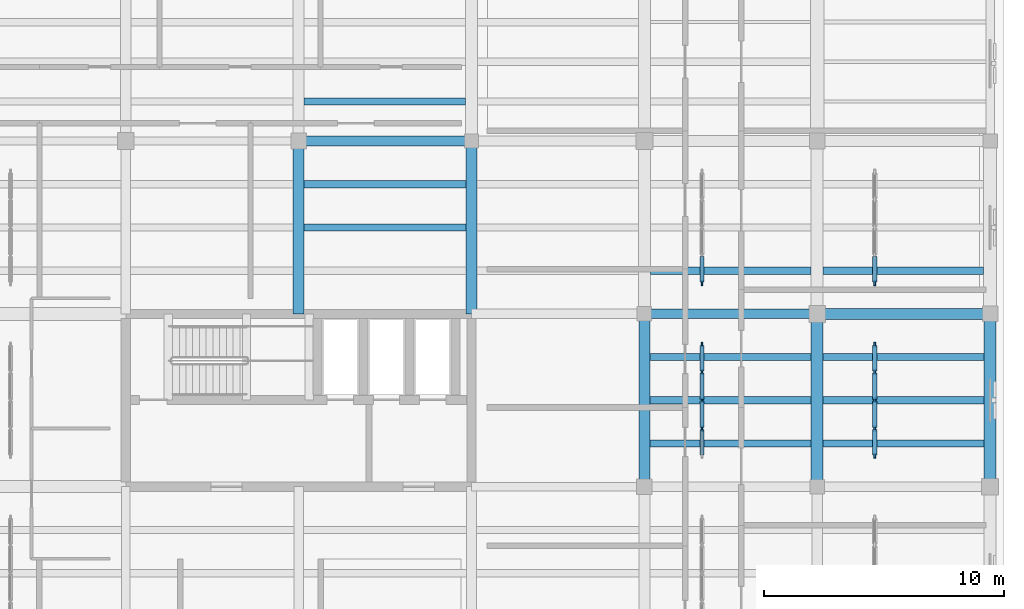
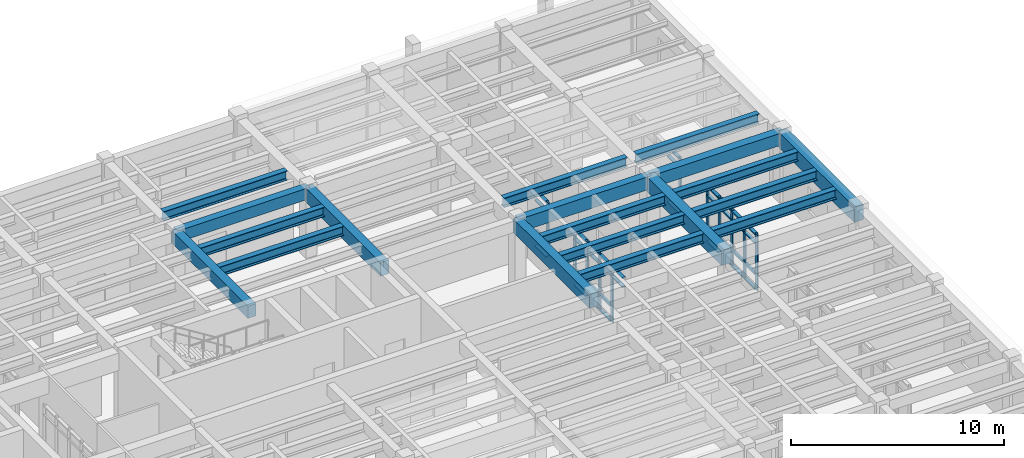
# One storey, part 21 of 66: 49 members, 19 beams, 4 elements without a shape of their own.
"""IFC4 building model written with IfcOpenShell, lengths in metres."""

from ifc_helpers import new_model, si_unit, direction, frame, origin, origin_2d, place, context, subcontext, project, spatial, rectangle, i_section, extrude, material, material_profile, profile_set, type_object, element, aggregate, save


model = new_model("IFC4")

# Units and contexts
model_context = context("Model", 3, precision=1e-05, world=origin(), true_north=direction((0.0, 1.0)))
body_context = subcontext(model_context, "Body", "Model", "MODEL_VIEW")
ifc_project = project(units=[si_unit("LENGTHUNIT", "METRE"), si_unit("AREAUNIT", "SQUARE_METRE"), si_unit("VOLUMEUNIT", "CUBIC_METRE"), si_unit("PLANEANGLEUNIT", "RADIAN"), si_unit("MASSUNIT", "GRAM", prefix="KILO")], contexts=[model_context])

# Site, building, storey
site_placement = place(None, origin())
site = spatial("IfcSite", under=ifc_project, at=site_placement, CompositionType="ELEMENT")
building_placement = place(site_placement, origin())
building = spatial("IfcBuilding", under=site, at=building_placement, Name="Mithqara Police Headquarters", CompositionType="ELEMENT")
storey_placement = place(building_placement, frame((0.0, 0.0, 9.60009765625)))
storey = spatial("IfcBuildingStorey", under=building, at=storey_placement, Name="L02", CompositionType="ELEMENT", Elevation=9.60009765625)

# Beams
ifc_material_1 = material(Name="Steel S355JR", Category="steel")
ifc_material_profile_1 = material_profile(ifc_material_1, i_section(OverallWidth=0.300048828125, OverallDepth=0.550048828125, WebThickness=0.014892578125, FlangeThickness=0.029052734375, FilletRadius=0.027099609375, at=origin_2d()), Name="HEB 550")
ifc_profile_set_1 = profile_set([ifc_material_profile_1], Name="Steel S355JR")
beam_type_1 = type_object("IfcBeamType", Name="BEAM HEB550", PredefinedType="BEAM", material=ifc_profile_set_1)
for number, where, z_axis, x_axis, name in (
    (1, (137.625, 103.800048828125, 3.664794921875), (1.0, 0.0, 0.0), (0.0, 1.0, 0.0), "L02 Composite Steel Joist 20-21/Q.2"),
    (2, (137.625, 105.60009765625, 3.664794921875), (1.0, 0.0, 0.0), (0.0, 1.0, 0.0), "L02 Composite Steel Joist 20-21/Q.3"),
):
    element("IfcBeam", number, at=place(storey_placement, frame(where, z_axis=z_axis, x_axis=x_axis)), inside=storey, type_object=beam_type_1, Name=name, PredefinedType="BEAM", context=body_context, shape_type="SweptSolid", body=[
        extrude(i_section(OverallWidth=0.300048828125, OverallDepth=0.550048828125, WebThickness=0.014892578125, FlangeThickness=0.029052734375, FilletRadius=0.027099609375, at=origin_2d()), origin(), (0.0, 0.0, 1.0), 6.75),
    ])
for number, where, z_axis, x_axis, name in (
    (3, (137.625, 109.050048828125, 3.664794921875), (1.0, 0.0, 0.0), (0.0, 1.0, 0.0), "L02 Composite Steel Joist 20-21/R.1"),
    (4, (152.02490234375, 94.800048828125, 3.664794921875), (1.0, 0.0, 0.0), (0.0, 1.0, 0.0), "L02 Composite Steel Joist 22-23/P.1"),
    (5, (152.02490234375, 96.60009765625, 3.664794921875), (1.0, 0.0, 0.0), (0.0, 1.0, 0.0), "L02 Composite Steel Joist 22-23/P.2"),
    (6, (152.02490234375, 98.39990234375, 3.664794921875), (1.0, 0.0, 0.0), (0.0, 1.0, 0.0), "L02 Composite Steel Joist 22-23/P.3"),
):
    element("IfcBeam", number, at=place(storey_placement, frame(where, z_axis=z_axis, x_axis=x_axis)), inside=storey, type_object=beam_type_1, Name=name, PredefinedType="BEAM", context=body_context, shape_type="SweptSolid", body=[
        extrude(i_section(OverallWidth=0.300048828125, OverallDepth=0.550048828125, WebThickness=0.014892578125, FlangeThickness=0.029052734375, FilletRadius=0.027099609375, at=origin_2d()), origin(), (0.0, 0.0, 1.0), 6.72509765625),
    ])
for number, where, z_axis, x_axis, name in (
    (7, (152.050048828125, 102.0, 3.664794921875), (1.0, 0.0, 0.0), (0.0, 1.0, 0.0), "L02 Composite Steel Joist 22-23/Q.1"),
    (8, (159.25, 94.800048828125, 3.664794921875), (1.0, 0.0, 0.0), (0.0, 1.0, 0.0), "L02 Composite Steel Joist 23-24/P.1"),
    (9, (159.25, 96.60009765625, 3.664794921875), (1.0, 0.0, 0.0), (0.0, 1.0, 0.0), "L02 Composite Steel Joist 23-24/P.2"),
    (10, (159.25, 98.39990234375, 3.664794921875), (1.0, 0.0, 0.0), (0.0, 1.0, 0.0), "L02 Composite Steel Joist 23-24/P.3"),
):
    element("IfcBeam", number, at=place(storey_placement, frame(where, z_axis=z_axis, x_axis=x_axis)), inside=storey, type_object=beam_type_1, Name=name, PredefinedType="BEAM", context=body_context, shape_type="SweptSolid", body=[
        extrude(i_section(OverallWidth=0.300048828125, OverallDepth=0.550048828125, WebThickness=0.014892578125, FlangeThickness=0.029052734375, FilletRadius=0.027099609375, at=origin_2d()), origin(), (0.0, 0.0, 1.0), 6.699951171875),
    ])
beam_1_placement = place(storey_placement, frame((159.25, 102.0, 3.664794921875), z_axis=(1.0, 0.0, 0.0), x_axis=(0.0, 1.0, 0.0)))
element("IfcBeam", 11, at=beam_1_placement, inside=storey, type_object=beam_type_1, Name="L02 Composite Steel Joist 23-24/Q.1", PredefinedType="BEAM", context=body_context, shape_type="SweptSolid", body=[
    extrude(i_section(OverallWidth=0.300048828125, OverallDepth=0.550048828125, WebThickness=0.014892578125, FlangeThickness=0.029052734375, FilletRadius=0.027099609375, at=origin_2d()), origin(), (0.0, 0.0, 1.0), 6.675048828125),
])
ifc_material_2 = material(Name="Concrete C40/50", Category="concrete")
ifc_material_profile_2 = material_profile(ifc_material_2, rectangle(XDim=0.39990234375, YDim=0.64990234375, at=origin_2d()), Name="RC 400x650")
ifc_profile_set_2 = profile_set([ifc_material_profile_2], Name="Concrete C40/50")
beam_type_2 = type_object("IfcBeamType", Name="BEAM RC400X650", PredefinedType="BEAM", material=ifc_profile_set_2)
beam_2_placement = place(storey_placement, frame((137.39990234375, 107.39990234375, 3.614990234375), z_axis=(1.0, 0.0, 0.0), x_axis=(0.0, 1.0, 0.0)))
element("IfcBeam", 12, at=beam_2_placement, inside=storey, type_object=beam_type_2, Name="L02 Girder 20-21/R", PredefinedType="BEAM", context=body_context, shape_type="SweptSolid", body=[
    extrude(rectangle(XDim=0.39990234375, YDim=0.64990234375, at=origin_2d()), origin(), (0.0, 0.0, 1.0), 7.2001953125),
])
ifc_material_profile_3 = material_profile(ifc_material_2, rectangle(XDim=0.39990234375, YDim=0.75, at=origin_2d()), Name="RC 400x750")
ifc_profile_set_3 = profile_set([ifc_material_profile_3], Name="Concrete C40/50")
beam_type_3 = type_object("IfcBeamType", Name="BEAM RC400X750", PredefinedType="BEAM", material=ifc_profile_set_3)
beam_3_placement = place(storey_placement, frame((151.800048828125, 100.199951171875, 3.56494140625), z_axis=(1.0, 0.0, 0.0), x_axis=(0.0, 1.0, 0.0)))
element("IfcBeam", 13, at=beam_3_placement, inside=storey, type_object=beam_type_3, Name="L02 Girder 22-23/Q", PredefinedType="BEAM", context=body_context, shape_type="SweptSolid", body=[
    extrude(rectangle(XDim=0.39990234375, YDim=0.75, at=origin_2d()), origin(), (0.0, 0.0, 1.0), 7.199951171875),
])
ifc_material_profile_4 = material_profile(ifc_material_2, rectangle(XDim=0.449951171875, YDim=0.699951171875, at=origin_2d()), Name="RC 450x700")
ifc_profile_set_4 = profile_set([ifc_material_profile_4], Name="Concrete C40/50")
beam_type_4 = type_object("IfcBeamType", Name="BEAM RC450X700", PredefinedType="BEAM", material=ifc_profile_set_4)
for number, where, z_axis, x_axis, name in (
    (14, (137.39990234375, 100.199951171875, 3.58984375), (0.0, 1.0, 0.0), (-1.0, 0.0, 0.0), "L02 Girder 20/Q-R"),
    (15, (159.0, 100.199951171875, 3.58984375), (1.0, 0.0, 0.0), (0.0, 1.0, 0.0), "L02 Girder 23-24/Q"),
):
    element("IfcBeam", number, at=place(storey_placement, frame(where, z_axis=z_axis, x_axis=x_axis)), inside=storey, type_object=beam_type_4, Name=name, PredefinedType="BEAM", context=body_context, shape_type="SweptSolid", body=[
        extrude(rectangle(XDim=0.449951171875, YDim=0.699951171875, at=origin_2d()), origin(), (0.0, 0.0, 1.0), 7.199951171875),
    ])
ifc_material_profile_5 = material_profile(ifc_material_2, rectangle(XDim=0.449951171875, YDim=0.800048828125, at=origin_2d()), Name="RC 450x800")
ifc_profile_set_5 = profile_set([ifc_material_profile_5], Name="Concrete C40/50")
beam_type_5 = type_object("IfcBeamType", Name="BEAM RC450X800", PredefinedType="BEAM", material=ifc_profile_set_5)
for number, where, z_axis, x_axis, name in (
    (16, (144.60009765625, 100.199951171875, 3.539794921875), (0.0, 1.0, 0.0), (-1.0, 0.0, 0.0), "L02 Girder 21/Q-R"),
    (17, (151.800048828125, 93.0, 3.539794921875), (0.0, 1.0, 0.0), (-1.0, 0.0, 0.0), "L02 Girder 22/P-Q"),
):
    element("IfcBeam", number, at=place(storey_placement, frame(where, z_axis=z_axis, x_axis=x_axis)), inside=storey, type_object=beam_type_5, Name=name, PredefinedType="BEAM", context=body_context, shape_type="SweptSolid", body=[
        extrude(rectangle(XDim=0.449951171875, YDim=0.800048828125, at=origin_2d()), origin(), (0.0, 0.0, 1.0), 7.199951171875),
    ])
ifc_material_profile_6 = material_profile(ifc_material_2, rectangle(XDim=0.5, YDim=0.85009765625, at=origin_2d()), Name="RC 500x850")
ifc_profile_set_6 = profile_set([ifc_material_profile_6], Name="Concrete C40/50")
beam_type_6 = type_object("IfcBeamType", Name="BEAM RC500X850", PredefinedType="BEAM", material=ifc_profile_set_6)
beam_4_placement = place(storey_placement, frame((159.0, 93.0, 3.514892578125), z_axis=(0.0, 1.0, 0.0), x_axis=(-1.0, 0.0, 0.0)))
element("IfcBeam", 18, at=beam_4_placement, inside=storey, type_object=beam_type_6, Name="L02 Girder 23/P-Q", PredefinedType="BEAM", context=body_context, shape_type="SweptSolid", body=[
    extrude(rectangle(XDim=0.5, YDim=0.85009765625, at=origin_2d()), origin(), (0.0, 0.0, 1.0), 7.199951171875),
])
ifc_material_3 = material(Name="Concrete C50/60", Category="concrete")
ifc_material_profile_7 = material_profile(ifc_material_3, rectangle(XDim=0.5, YDim=0.89990234375, at=origin_2d()), Name="RC 500x900")
ifc_profile_set_7 = profile_set([ifc_material_profile_7], Name="Concrete C50/60")
beam_type_7 = type_object("IfcBeamType", Name="BEAM RC500X900", PredefinedType="BEAM", material=ifc_profile_set_7)
beam_5_placement = place(storey_placement, frame((166.199951171875, 93.0, 3.489990234375), z_axis=(0.0, 1.0, 0.0), x_axis=(-1.0, 0.0, 0.0)))
element("IfcBeam", 19, at=beam_5_placement, inside=storey, type_object=beam_type_7, Name="L02 Girder 24/P-Q", PredefinedType="BEAM", context=body_context, shape_type="SweptSolid", body=[
    extrude(rectangle(XDim=0.5, YDim=0.89990234375, at=origin_2d()), origin(), (0.0, 0.0, 1.0), 7.199951171875),
])

# Curtain wall, members
ifc_material_4 = material(Name="Bronze anodised aluminium 6063-T6", Category="aluminium")
curtain_wall_type = type_object("IfcCurtainWallType", Name="CURTAIN WALL 4700X3220", PredefinedType="USERDEFINED", material=ifc_material_4)
curtain_wall_1_placement = place(storey_placement, origin())
curtain_wall_1 = element("IfcCurtainWall", 20, at=curtain_wall_1_placement, inside=storey, type_object=curtain_wall_type, Name="L02 Unitised Glazing CW-16 (CW-INT-L02-X21-Y13-0)", ObjectType="UNITISED GLAZING", PredefinedType="USERDEFINED")
ifc_material_profile_8 = material_profile(ifc_material_4, rectangle(XDim=0.074951171875, YDim=0.219970703125, at=origin_2d()), Name="CWM 75x220")
ifc_profile_set_8 = profile_set([ifc_material_profile_8], Name="Bronze anodised aluminium 6063-T6")
member_type_1 = type_object("IfcMemberType", Name="CWMULLION 75X220", PredefinedType="MULLION", material=ifc_profile_set_8)
member_1_placement = place(storey_placement, frame((154.199951171875, 95.425048828125, 0.0), z_axis=(0.0, 0.0, 1.0), x_axis=(-1.0, 0.0, 0.0)))
member_1 = element("IfcMember", 21, at=member_1_placement, type_object=member_type_1, Name="CW-16 mullion 2", PredefinedType="MULLION", context=body_context, shape_type="SweptSolid", body=[
    extrude(rectangle(XDim=0.074951171875, YDim=0.219970703125, at=origin_2d()), origin(), (0.0, 0.0, 1.0), 3.219970703125),
])
member_2_placement = place(storey_placement, frame((154.199951171875, 96.60009765625, 0.0), z_axis=(0.0, 0.0, 1.0), x_axis=(-1.0, 0.0, 0.0)))
member_2 = element("IfcMember", 22, at=member_2_placement, type_object=member_type_1, Name="CW-16 mullion 3", PredefinedType="MULLION", context=body_context, shape_type="SweptSolid", body=[
    extrude(rectangle(XDim=0.074951171875, YDim=0.219970703125, at=origin_2d()), origin(), (0.0, 0.0, 1.0), 3.219970703125),
])
member_3_placement = place(storey_placement, frame((154.199951171875, 97.77490234375, 0.0), z_axis=(0.0, 0.0, 1.0), x_axis=(-1.0, 0.0, 0.0)))
member_3 = element("IfcMember", 23, at=member_3_placement, type_object=member_type_1, Name="CW-16 mullion 4", PredefinedType="MULLION", context=body_context, shape_type="SweptSolid", body=[
    extrude(rectangle(XDim=0.074951171875, YDim=0.219970703125, at=origin_2d()), origin(), (0.0, 0.0, 1.0), 3.219970703125),
])
member_4_placement = place(storey_placement, frame((154.199951171875, 98.91259765625, 0.0), z_axis=(0.0, 0.0, 1.0), x_axis=(-1.0, 0.0, 0.0)))
member_4 = element("IfcMember", 24, at=member_4_placement, type_object=member_type_1, Name="CW-16 mullion 5", PredefinedType="MULLION", context=body_context, shape_type="SweptSolid", body=[
    extrude(rectangle(XDim=0.074951171875, YDim=0.219970703125, at=origin_2d()), origin(), (0.0, 0.0, 1.0), 3.219970703125),
])

# Curtain wall, member
curtain_wall_2_placement = place(storey_placement, origin())
curtain_wall_2 = element("IfcCurtainWall", 25, at=curtain_wall_2_placement, inside=storey, type_object=curtain_wall_type, Name="L02 Unitised Glazing CW-16 (CW-INT-L02-X21-Y14-0)", ObjectType="UNITISED GLAZING", PredefinedType="USERDEFINED")
member_5_placement = place(storey_placement, frame((154.199951171875, 101.487548828125, 0.0), z_axis=(0.0, 0.0, 1.0), x_axis=(-1.0, 0.0, 0.0)))
member_5 = element("IfcMember", 26, at=member_5_placement, type_object=member_type_1, Name="CW-16 mullion 1", PredefinedType="MULLION", context=body_context, shape_type="SweptSolid", body=[
    extrude(rectangle(XDim=0.074951171875, YDim=0.219970703125, at=origin_2d()), origin(), (0.0, 0.0, 1.0), 3.219970703125),
])

# Curtain wall, members
curtain_wall_3_placement = place(storey_placement, origin())
curtain_wall_3 = element("IfcCurtainWall", 27, at=curtain_wall_3_placement, inside=storey, type_object=curtain_wall_type, Name="L02 Unitised Glazing CW-16 (CW-INT-L02-X22-Y13-0)", ObjectType="UNITISED GLAZING", PredefinedType="USERDEFINED")
member_6_placement = place(storey_placement, frame((161.39990234375, 94.28759765625, 0.0), z_axis=(0.0, 0.0, 1.0), x_axis=(-1.0, 0.0, 0.0)))
member_6 = element("IfcMember", 28, at=member_6_placement, type_object=member_type_1, Name="CW-16 mullion 1", PredefinedType="MULLION", context=body_context, shape_type="SweptSolid", body=[
    extrude(rectangle(XDim=0.074951171875, YDim=0.219970703125, at=origin_2d()), origin(), (0.0, 0.0, 1.0), 3.219970703125),
])
member_7_placement = place(storey_placement, frame((161.39990234375, 95.425048828125, 0.0), z_axis=(0.0, 0.0, 1.0), x_axis=(-1.0, 0.0, 0.0)))
member_7 = element("IfcMember", 29, at=member_7_placement, type_object=member_type_1, Name="CW-16 mullion 2", PredefinedType="MULLION", context=body_context, shape_type="SweptSolid", body=[
    extrude(rectangle(XDim=0.074951171875, YDim=0.219970703125, at=origin_2d()), origin(), (0.0, 0.0, 1.0), 3.219970703125),
])
member_8_placement = place(storey_placement, frame((161.39990234375, 96.60009765625, 0.0), z_axis=(0.0, 0.0, 1.0), x_axis=(-1.0, 0.0, 0.0)))
member_8 = element("IfcMember", 30, at=member_8_placement, type_object=member_type_1, Name="CW-16 mullion 3", PredefinedType="MULLION", context=body_context, shape_type="SweptSolid", body=[
    extrude(rectangle(XDim=0.074951171875, YDim=0.219970703125, at=origin_2d()), origin(), (0.0, 0.0, 1.0), 3.219970703125),
])
member_9_placement = place(storey_placement, frame((161.39990234375, 97.77490234375, 0.0), z_axis=(0.0, 0.0, 1.0), x_axis=(-1.0, 0.0, 0.0)))
member_9 = element("IfcMember", 31, at=member_9_placement, type_object=member_type_1, Name="CW-16 mullion 4", PredefinedType="MULLION", context=body_context, shape_type="SweptSolid", body=[
    extrude(rectangle(XDim=0.074951171875, YDim=0.219970703125, at=origin_2d()), origin(), (0.0, 0.0, 1.0), 3.219970703125),
])
member_10_placement = place(storey_placement, frame((161.39990234375, 98.91259765625, 0.0), z_axis=(0.0, 0.0, 1.0), x_axis=(-1.0, 0.0, 0.0)))
member_10 = element("IfcMember", 32, at=member_10_placement, type_object=member_type_1, Name="CW-16 mullion 5", PredefinedType="MULLION", context=body_context, shape_type="SweptSolid", body=[
    extrude(rectangle(XDim=0.074951171875, YDim=0.219970703125, at=origin_2d()), origin(), (0.0, 0.0, 1.0), 3.219970703125),
])

# Curtain wall, member
curtain_wall_4_placement = place(storey_placement, origin())
curtain_wall_4 = element("IfcCurtainWall", 33, at=curtain_wall_4_placement, inside=storey, type_object=curtain_wall_type, Name="L02 Unitised Glazing CW-16 (CW-INT-L02-X22-Y14-0)", ObjectType="UNITISED GLAZING", PredefinedType="USERDEFINED")
member_11_placement = place(storey_placement, frame((161.39990234375, 101.487548828125, 0.0), z_axis=(0.0, 0.0, 1.0), x_axis=(-1.0, 0.0, 0.0)))
member_11 = element("IfcMember", 34, at=member_11_placement, type_object=member_type_1, Name="CW-16 mullion 1", PredefinedType="MULLION", context=body_context, shape_type="SweptSolid", body=[
    extrude(rectangle(XDim=0.074951171875, YDim=0.219970703125, at=origin_2d()), origin(), (0.0, 0.0, 1.0), 3.219970703125),
])

# Member
ifc_material_profile_9 = material_profile(ifc_material_4, rectangle(XDim=0.179931640625, YDim=0.074951171875, at=origin_2d()), Name="CWT 180x75")
ifc_profile_set_9 = profile_set([ifc_material_profile_9], Name="Bronze anodised aluminium 6063-T6")
member_type_2 = type_object("IfcMemberType", Name="CWTRANSOM 180X75", PredefinedType="USERDEFINED", material=ifc_profile_set_9)
member_12_placement = place(storey_placement, frame((154.199951171875, 94.324951171875, 2.669921875), z_axis=(0.0, 1.0, 0.0), x_axis=(-1.0, 0.0, 0.0)))
member_12 = element("IfcMember", 35, at=member_12_placement, type_object=member_type_2, Name="CW-16 transom 1.3", ObjectType="TRANSOM", PredefinedType="USERDEFINED", context=body_context, shape_type="SweptSolid", body=[
    extrude(rectangle(XDim=0.179931640625, YDim=0.074951171875, at=origin_2d()), origin(), (0.0, 0.0, 1.0), 1.0625),
])

member_13_placement = place(storey_placement, frame((154.199951171875, 94.324951171875, 3.182373046875), z_axis=(0.0, 1.0, 0.0), x_axis=(-1.0, 0.0, 0.0)))
member_13 = element("IfcMember", 36, at=member_13_placement, type_object=member_type_2, Name="CW-16 transom 1.4", ObjectType="TRANSOM", PredefinedType="USERDEFINED", context=body_context, shape_type="SweptSolid", body=[
    extrude(rectangle(XDim=0.179931640625, YDim=0.074951171875, at=origin_2d()), origin(), (0.0, 0.0, 1.0), 1.0625),
])

member_14_placement = place(storey_placement, frame((154.199951171875, 95.46240234375, 0.037353515625), z_axis=(0.0, 1.0, 0.0), x_axis=(-1.0, 0.0, 0.0)))
member_14 = element("IfcMember", 37, at=member_14_placement, type_object=member_type_2, Name="CW-16 transom 2.1", ObjectType="TRANSOM", PredefinedType="USERDEFINED", context=body_context, shape_type="SweptSolid", body=[
    extrude(rectangle(XDim=0.179931640625, YDim=0.074951171875, at=origin_2d()), origin(), (0.0, 0.0, 1.0), 1.10009765625),
])

member_15_placement = place(storey_placement, frame((154.199951171875, 95.46240234375, 0.89990234375), z_axis=(0.0, 1.0, 0.0), x_axis=(-1.0, 0.0, 0.0)))
member_15 = element("IfcMember", 38, at=member_15_placement, type_object=member_type_2, Name="CW-16 transom 2.2", ObjectType="TRANSOM", PredefinedType="USERDEFINED", context=body_context, shape_type="SweptSolid", body=[
    extrude(rectangle(XDim=0.179931640625, YDim=0.074951171875, at=origin_2d()), origin(), (0.0, 0.0, 1.0), 1.10009765625),
])

member_16_placement = place(storey_placement, frame((154.199951171875, 95.46240234375, 2.669921875), z_axis=(0.0, 1.0, 0.0), x_axis=(-1.0, 0.0, 0.0)))
member_16 = element("IfcMember", 39, at=member_16_placement, type_object=member_type_2, Name="CW-16 transom 2.3", ObjectType="TRANSOM", PredefinedType="USERDEFINED", context=body_context, shape_type="SweptSolid", body=[
    extrude(rectangle(XDim=0.179931640625, YDim=0.074951171875, at=origin_2d()), origin(), (0.0, 0.0, 1.0), 1.10009765625),
])

member_17_placement = place(storey_placement, frame((154.199951171875, 95.46240234375, 3.182373046875), z_axis=(0.0, 1.0, 0.0), x_axis=(-1.0, 0.0, 0.0)))
member_17 = element("IfcMember", 40, at=member_17_placement, type_object=member_type_2, Name="CW-16 transom 2.4", ObjectType="TRANSOM", PredefinedType="USERDEFINED", context=body_context, shape_type="SweptSolid", body=[
    extrude(rectangle(XDim=0.179931640625, YDim=0.074951171875, at=origin_2d()), origin(), (0.0, 0.0, 1.0), 1.10009765625),
])

member_18_placement = place(storey_placement, frame((154.199951171875, 96.637451171875, 0.037353515625), z_axis=(0.0, 1.0, 0.0), x_axis=(-1.0, 0.0, 0.0)))
member_18 = element("IfcMember", 41, at=member_18_placement, type_object=member_type_2, Name="CW-16 transom 3.1", ObjectType="TRANSOM", PredefinedType="USERDEFINED", context=body_context, shape_type="SweptSolid", body=[
    extrude(rectangle(XDim=0.179931640625, YDim=0.074951171875, at=origin_2d()), origin(), (0.0, 0.0, 1.0), 1.10009765625),
])

member_19_placement = place(storey_placement, frame((154.199951171875, 96.637451171875, 0.89990234375), z_axis=(0.0, 1.0, 0.0), x_axis=(-1.0, 0.0, 0.0)))
member_19 = element("IfcMember", 42, at=member_19_placement, type_object=member_type_2, Name="CW-16 transom 3.2", ObjectType="TRANSOM", PredefinedType="USERDEFINED", context=body_context, shape_type="SweptSolid", body=[
    extrude(rectangle(XDim=0.179931640625, YDim=0.074951171875, at=origin_2d()), origin(), (0.0, 0.0, 1.0), 1.10009765625),
])

member_20_placement = place(storey_placement, frame((154.199951171875, 96.637451171875, 2.669921875), z_axis=(0.0, 1.0, 0.0), x_axis=(-1.0, 0.0, 0.0)))
member_20 = element("IfcMember", 43, at=member_20_placement, type_object=member_type_2, Name="CW-16 transom 3.3", ObjectType="TRANSOM", PredefinedType="USERDEFINED", context=body_context, shape_type="SweptSolid", body=[
    extrude(rectangle(XDim=0.179931640625, YDim=0.074951171875, at=origin_2d()), origin(), (0.0, 0.0, 1.0), 1.10009765625),
])

member_21_placement = place(storey_placement, frame((154.199951171875, 96.637451171875, 3.182373046875), z_axis=(0.0, 1.0, 0.0), x_axis=(-1.0, 0.0, 0.0)))
member_21 = element("IfcMember", 44, at=member_21_placement, type_object=member_type_2, Name="CW-16 transom 3.4", ObjectType="TRANSOM", PredefinedType="USERDEFINED", context=body_context, shape_type="SweptSolid", body=[
    extrude(rectangle(XDim=0.179931640625, YDim=0.074951171875, at=origin_2d()), origin(), (0.0, 0.0, 1.0), 1.10009765625),
])

member_22_placement = place(storey_placement, frame((154.199951171875, 97.8125, 0.037353515625), z_axis=(0.0, 1.0, 0.0), x_axis=(-1.0, 0.0, 0.0)))
member_22 = element("IfcMember", 45, at=member_22_placement, type_object=member_type_2, Name="CW-16 transom 4.1", ObjectType="TRANSOM", PredefinedType="USERDEFINED", context=body_context, shape_type="SweptSolid", body=[
    extrude(rectangle(XDim=0.179931640625, YDim=0.074951171875, at=origin_2d()), origin(), (0.0, 0.0, 1.0), 1.0625),
])

member_23_placement = place(storey_placement, frame((154.199951171875, 97.8125, 0.89990234375), z_axis=(0.0, 1.0, 0.0), x_axis=(-1.0, 0.0, 0.0)))
member_23 = element("IfcMember", 46, at=member_23_placement, type_object=member_type_2, Name="CW-16 transom 4.2", ObjectType="TRANSOM", PredefinedType="USERDEFINED", context=body_context, shape_type="SweptSolid", body=[
    extrude(rectangle(XDim=0.179931640625, YDim=0.074951171875, at=origin_2d()), origin(), (0.0, 0.0, 1.0), 1.0625),
])

member_24_placement = place(storey_placement, frame((154.199951171875, 97.8125, 2.669921875), z_axis=(0.0, 1.0, 0.0), x_axis=(-1.0, 0.0, 0.0)))
member_24 = element("IfcMember", 47, at=member_24_placement, type_object=member_type_2, Name="CW-16 transom 4.3", ObjectType="TRANSOM", PredefinedType="USERDEFINED", context=body_context, shape_type="SweptSolid", body=[
    extrude(rectangle(XDim=0.179931640625, YDim=0.074951171875, at=origin_2d()), origin(), (0.0, 0.0, 1.0), 1.0625),
])

member_25_placement = place(storey_placement, frame((154.199951171875, 97.8125, 3.182373046875), z_axis=(0.0, 1.0, 0.0), x_axis=(-1.0, 0.0, 0.0)))
member_25 = element("IfcMember", 48, at=member_25_placement, type_object=member_type_2, Name="CW-16 transom 4.4", ObjectType="TRANSOM", PredefinedType="USERDEFINED", context=body_context, shape_type="SweptSolid", body=[
    extrude(rectangle(XDim=0.179931640625, YDim=0.074951171875, at=origin_2d()), origin(), (0.0, 0.0, 1.0), 1.0625),
])

aggregate(curtain_wall_1, [member_1, member_2, member_3, member_4, member_12, member_13, member_14, member_15, member_16, member_17, member_18, member_19, member_20, member_21, member_22, member_23, member_24, member_25])

member_26_placement = place(storey_placement, frame((154.199951171875, 101.52490234375, 0.037353515625), z_axis=(0.0, 1.0, 0.0), x_axis=(-1.0, 0.0, 0.0)))
member_26 = element("IfcMember", 49, at=member_26_placement, type_object=member_type_2, Name="CW-16 transom 1.1", ObjectType="TRANSOM", PredefinedType="USERDEFINED", context=body_context, shape_type="SweptSolid", body=[
    extrude(rectangle(XDim=0.179931640625, YDim=0.074951171875, at=origin_2d()), origin(), (0.0, 0.0, 1.0), 1.0625),
])

member_27_placement = place(storey_placement, frame((154.199951171875, 101.52490234375, 0.89990234375), z_axis=(0.0, 1.0, 0.0), x_axis=(-1.0, 0.0, 0.0)))
member_27 = element("IfcMember", 50, at=member_27_placement, type_object=member_type_2, Name="CW-16 transom 1.2", ObjectType="TRANSOM", PredefinedType="USERDEFINED", context=body_context, shape_type="SweptSolid", body=[
    extrude(rectangle(XDim=0.179931640625, YDim=0.074951171875, at=origin_2d()), origin(), (0.0, 0.0, 1.0), 1.0625),
])

member_28_placement = place(storey_placement, frame((154.199951171875, 101.52490234375, 2.669921875), z_axis=(0.0, 1.0, 0.0), x_axis=(-1.0, 0.0, 0.0)))
member_28 = element("IfcMember", 51, at=member_28_placement, type_object=member_type_2, Name="CW-16 transom 1.3", ObjectType="TRANSOM", PredefinedType="USERDEFINED", context=body_context, shape_type="SweptSolid", body=[
    extrude(rectangle(XDim=0.179931640625, YDim=0.074951171875, at=origin_2d()), origin(), (0.0, 0.0, 1.0), 1.0625),
])

member_29_placement = place(storey_placement, frame((154.199951171875, 101.52490234375, 3.182373046875), z_axis=(0.0, 1.0, 0.0), x_axis=(-1.0, 0.0, 0.0)))
member_29 = element("IfcMember", 52, at=member_29_placement, type_object=member_type_2, Name="CW-16 transom 1.4", ObjectType="TRANSOM", PredefinedType="USERDEFINED", context=body_context, shape_type="SweptSolid", body=[
    extrude(rectangle(XDim=0.179931640625, YDim=0.074951171875, at=origin_2d()), origin(), (0.0, 0.0, 1.0), 1.0625),
])

aggregate(curtain_wall_2, [member_5, member_26, member_27, member_28, member_29])

member_30_placement = place(storey_placement, frame((161.39990234375, 94.324951171875, 0.037353515625), z_axis=(0.0, 1.0, 0.0), x_axis=(-1.0, 0.0, 0.0)))
member_30 = element("IfcMember", 53, at=member_30_placement, type_object=member_type_2, Name="CW-16 transom 1.1", ObjectType="TRANSOM", PredefinedType="USERDEFINED", context=body_context, shape_type="SweptSolid", body=[
    extrude(rectangle(XDim=0.179931640625, YDim=0.074951171875, at=origin_2d()), origin(), (0.0, 0.0, 1.0), 1.0625),
])

member_31_placement = place(storey_placement, frame((161.39990234375, 94.324951171875, 0.89990234375), z_axis=(0.0, 1.0, 0.0), x_axis=(-1.0, 0.0, 0.0)))
member_31 = element("IfcMember", 54, at=member_31_placement, type_object=member_type_2, Name="CW-16 transom 1.2", ObjectType="TRANSOM", PredefinedType="USERDEFINED", context=body_context, shape_type="SweptSolid", body=[
    extrude(rectangle(XDim=0.179931640625, YDim=0.074951171875, at=origin_2d()), origin(), (0.0, 0.0, 1.0), 1.0625),
])

member_32_placement = place(storey_placement, frame((161.39990234375, 94.324951171875, 2.669921875), z_axis=(0.0, 1.0, 0.0), x_axis=(-1.0, 0.0, 0.0)))
member_32 = element("IfcMember", 55, at=member_32_placement, type_object=member_type_2, Name="CW-16 transom 1.3", ObjectType="TRANSOM", PredefinedType="USERDEFINED", context=body_context, shape_type="SweptSolid", body=[
    extrude(rectangle(XDim=0.179931640625, YDim=0.074951171875, at=origin_2d()), origin(), (0.0, 0.0, 1.0), 1.0625),
])

member_33_placement = place(storey_placement, frame((161.39990234375, 94.324951171875, 3.182373046875), z_axis=(0.0, 1.0, 0.0), x_axis=(-1.0, 0.0, 0.0)))
member_33 = element("IfcMember", 56, at=member_33_placement, type_object=member_type_2, Name="CW-16 transom 1.4", ObjectType="TRANSOM", PredefinedType="USERDEFINED", context=body_context, shape_type="SweptSolid", body=[
    extrude(rectangle(XDim=0.179931640625, YDim=0.074951171875, at=origin_2d()), origin(), (0.0, 0.0, 1.0), 1.0625),
])

member_34_placement = place(storey_placement, frame((161.39990234375, 95.46240234375, 0.037353515625), z_axis=(0.0, 1.0, 0.0), x_axis=(-1.0, 0.0, 0.0)))
member_34 = element("IfcMember", 57, at=member_34_placement, type_object=member_type_2, Name="CW-16 transom 2.1", ObjectType="TRANSOM", PredefinedType="USERDEFINED", context=body_context, shape_type="SweptSolid", body=[
    extrude(rectangle(XDim=0.179931640625, YDim=0.074951171875, at=origin_2d()), origin(), (0.0, 0.0, 1.0), 1.10009765625),
])

member_35_placement = place(storey_placement, frame((161.39990234375, 95.46240234375, 0.89990234375), z_axis=(0.0, 1.0, 0.0), x_axis=(-1.0, 0.0, 0.0)))
member_35 = element("IfcMember", 58, at=member_35_placement, type_object=member_type_2, Name="CW-16 transom 2.2", ObjectType="TRANSOM", PredefinedType="USERDEFINED", context=body_context, shape_type="SweptSolid", body=[
    extrude(rectangle(XDim=0.179931640625, YDim=0.074951171875, at=origin_2d()), origin(), (0.0, 0.0, 1.0), 1.10009765625),
])

member_36_placement = place(storey_placement, frame((161.39990234375, 95.46240234375, 2.669921875), z_axis=(0.0, 1.0, 0.0), x_axis=(-1.0, 0.0, 0.0)))
member_36 = element("IfcMember", 59, at=member_36_placement, type_object=member_type_2, Name="CW-16 transom 2.3", ObjectType="TRANSOM", PredefinedType="USERDEFINED", context=body_context, shape_type="SweptSolid", body=[
    extrude(rectangle(XDim=0.179931640625, YDim=0.074951171875, at=origin_2d()), origin(), (0.0, 0.0, 1.0), 1.10009765625),
])

member_37_placement = place(storey_placement, frame((161.39990234375, 95.46240234375, 3.182373046875), z_axis=(0.0, 1.0, 0.0), x_axis=(-1.0, 0.0, 0.0)))
member_37 = element("IfcMember", 60, at=member_37_placement, type_object=member_type_2, Name="CW-16 transom 2.4", ObjectType="TRANSOM", PredefinedType="USERDEFINED", context=body_context, shape_type="SweptSolid", body=[
    extrude(rectangle(XDim=0.179931640625, YDim=0.074951171875, at=origin_2d()), origin(), (0.0, 0.0, 1.0), 1.10009765625),
])

member_38_placement = place(storey_placement, frame((161.39990234375, 96.637451171875, 0.037353515625), z_axis=(0.0, 1.0, 0.0), x_axis=(-1.0, 0.0, 0.0)))
member_38 = element("IfcMember", 61, at=member_38_placement, type_object=member_type_2, Name="CW-16 transom 3.1", ObjectType="TRANSOM", PredefinedType="USERDEFINED", context=body_context, shape_type="SweptSolid", body=[
    extrude(rectangle(XDim=0.179931640625, YDim=0.074951171875, at=origin_2d()), origin(), (0.0, 0.0, 1.0), 1.10009765625),
])

member_39_placement = place(storey_placement, frame((161.39990234375, 96.637451171875, 0.89990234375), z_axis=(0.0, 1.0, 0.0), x_axis=(-1.0, 0.0, 0.0)))
member_39 = element("IfcMember", 62, at=member_39_placement, type_object=member_type_2, Name="CW-16 transom 3.2", ObjectType="TRANSOM", PredefinedType="USERDEFINED", context=body_context, shape_type="SweptSolid", body=[
    extrude(rectangle(XDim=0.179931640625, YDim=0.074951171875, at=origin_2d()), origin(), (0.0, 0.0, 1.0), 1.10009765625),
])

member_40_placement = place(storey_placement, frame((161.39990234375, 96.637451171875, 2.669921875), z_axis=(0.0, 1.0, 0.0), x_axis=(-1.0, 0.0, 0.0)))
member_40 = element("IfcMember", 63, at=member_40_placement, type_object=member_type_2, Name="CW-16 transom 3.3", ObjectType="TRANSOM", PredefinedType="USERDEFINED", context=body_context, shape_type="SweptSolid", body=[
    extrude(rectangle(XDim=0.179931640625, YDim=0.074951171875, at=origin_2d()), origin(), (0.0, 0.0, 1.0), 1.10009765625),
])

member_41_placement = place(storey_placement, frame((161.39990234375, 96.637451171875, 3.182373046875), z_axis=(0.0, 1.0, 0.0), x_axis=(-1.0, 0.0, 0.0)))
member_41 = element("IfcMember", 64, at=member_41_placement, type_object=member_type_2, Name="CW-16 transom 3.4", ObjectType="TRANSOM", PredefinedType="USERDEFINED", context=body_context, shape_type="SweptSolid", body=[
    extrude(rectangle(XDim=0.179931640625, YDim=0.074951171875, at=origin_2d()), origin(), (0.0, 0.0, 1.0), 1.10009765625),
])

member_42_placement = place(storey_placement, frame((161.39990234375, 97.8125, 0.037353515625), z_axis=(0.0, 1.0, 0.0), x_axis=(-1.0, 0.0, 0.0)))
member_42 = element("IfcMember", 65, at=member_42_placement, type_object=member_type_2, Name="CW-16 transom 4.1", ObjectType="TRANSOM", PredefinedType="USERDEFINED", context=body_context, shape_type="SweptSolid", body=[
    extrude(rectangle(XDim=0.179931640625, YDim=0.074951171875, at=origin_2d()), origin(), (0.0, 0.0, 1.0), 1.0625),
])

member_43_placement = place(storey_placement, frame((161.39990234375, 97.8125, 0.89990234375), z_axis=(0.0, 1.0, 0.0), x_axis=(-1.0, 0.0, 0.0)))
member_43 = element("IfcMember", 66, at=member_43_placement, type_object=member_type_2, Name="CW-16 transom 4.2", ObjectType="TRANSOM", PredefinedType="USERDEFINED", context=body_context, shape_type="SweptSolid", body=[
    extrude(rectangle(XDim=0.179931640625, YDim=0.074951171875, at=origin_2d()), origin(), (0.0, 0.0, 1.0), 1.0625),
])

member_44_placement = place(storey_placement, frame((161.39990234375, 97.8125, 2.669921875), z_axis=(0.0, 1.0, 0.0), x_axis=(-1.0, 0.0, 0.0)))
member_44 = element("IfcMember", 67, at=member_44_placement, type_object=member_type_2, Name="CW-16 transom 4.3", ObjectType="TRANSOM", PredefinedType="USERDEFINED", context=body_context, shape_type="SweptSolid", body=[
    extrude(rectangle(XDim=0.179931640625, YDim=0.074951171875, at=origin_2d()), origin(), (0.0, 0.0, 1.0), 1.0625),
])

member_45_placement = place(storey_placement, frame((161.39990234375, 97.8125, 3.182373046875), z_axis=(0.0, 1.0, 0.0), x_axis=(-1.0, 0.0, 0.0)))
member_45 = element("IfcMember", 68, at=member_45_placement, type_object=member_type_2, Name="CW-16 transom 4.4", ObjectType="TRANSOM", PredefinedType="USERDEFINED", context=body_context, shape_type="SweptSolid", body=[
    extrude(rectangle(XDim=0.179931640625, YDim=0.074951171875, at=origin_2d()), origin(), (0.0, 0.0, 1.0), 1.0625),
])

aggregate(curtain_wall_3, [member_6, member_7, member_8, member_9, member_10, member_30, member_31, member_32, member_33, member_34, member_35, member_36, member_37, member_38, member_39, member_40, member_41, member_42, member_43, member_44, member_45])

member_46_placement = place(storey_placement, frame((161.39990234375, 101.52490234375, 0.037353515625), z_axis=(0.0, 1.0, 0.0), x_axis=(-1.0, 0.0, 0.0)))
member_46 = element("IfcMember", 69, at=member_46_placement, type_object=member_type_2, Name="CW-16 transom 1.1", ObjectType="TRANSOM", PredefinedType="USERDEFINED", context=body_context, shape_type="SweptSolid", body=[
    extrude(rectangle(XDim=0.179931640625, YDim=0.074951171875, at=origin_2d()), origin(), (0.0, 0.0, 1.0), 1.0625),
])

member_47_placement = place(storey_placement, frame((161.39990234375, 101.52490234375, 0.89990234375), z_axis=(0.0, 1.0, 0.0), x_axis=(-1.0, 0.0, 0.0)))
member_47 = element("IfcMember", 70, at=member_47_placement, type_object=member_type_2, Name="CW-16 transom 1.2", ObjectType="TRANSOM", PredefinedType="USERDEFINED", context=body_context, shape_type="SweptSolid", body=[
    extrude(rectangle(XDim=0.179931640625, YDim=0.074951171875, at=origin_2d()), origin(), (0.0, 0.0, 1.0), 1.0625),
])

member_48_placement = place(storey_placement, frame((161.39990234375, 101.52490234375, 2.669921875), z_axis=(0.0, 1.0, 0.0), x_axis=(-1.0, 0.0, 0.0)))
member_48 = element("IfcMember", 71, at=member_48_placement, type_object=member_type_2, Name="CW-16 transom 1.3", ObjectType="TRANSOM", PredefinedType="USERDEFINED", context=body_context, shape_type="SweptSolid", body=[
    extrude(rectangle(XDim=0.179931640625, YDim=0.074951171875, at=origin_2d()), origin(), (0.0, 0.0, 1.0), 1.0625),
])

member_49_placement = place(storey_placement, frame((161.39990234375, 101.52490234375, 3.182373046875), z_axis=(0.0, 1.0, 0.0), x_axis=(-1.0, 0.0, 0.0)))
member_49 = element("IfcMember", 72, at=member_49_placement, type_object=member_type_2, Name="CW-16 transom 1.4", ObjectType="TRANSOM", PredefinedType="USERDEFINED", context=body_context, shape_type="SweptSolid", body=[
    extrude(rectangle(XDim=0.179931640625, YDim=0.074951171875, at=origin_2d()), origin(), (0.0, 0.0, 1.0), 1.0625),
])

aggregate(curtain_wall_4, [member_11, member_46, member_47, member_48, member_49])

save(model, "model.ifc")
